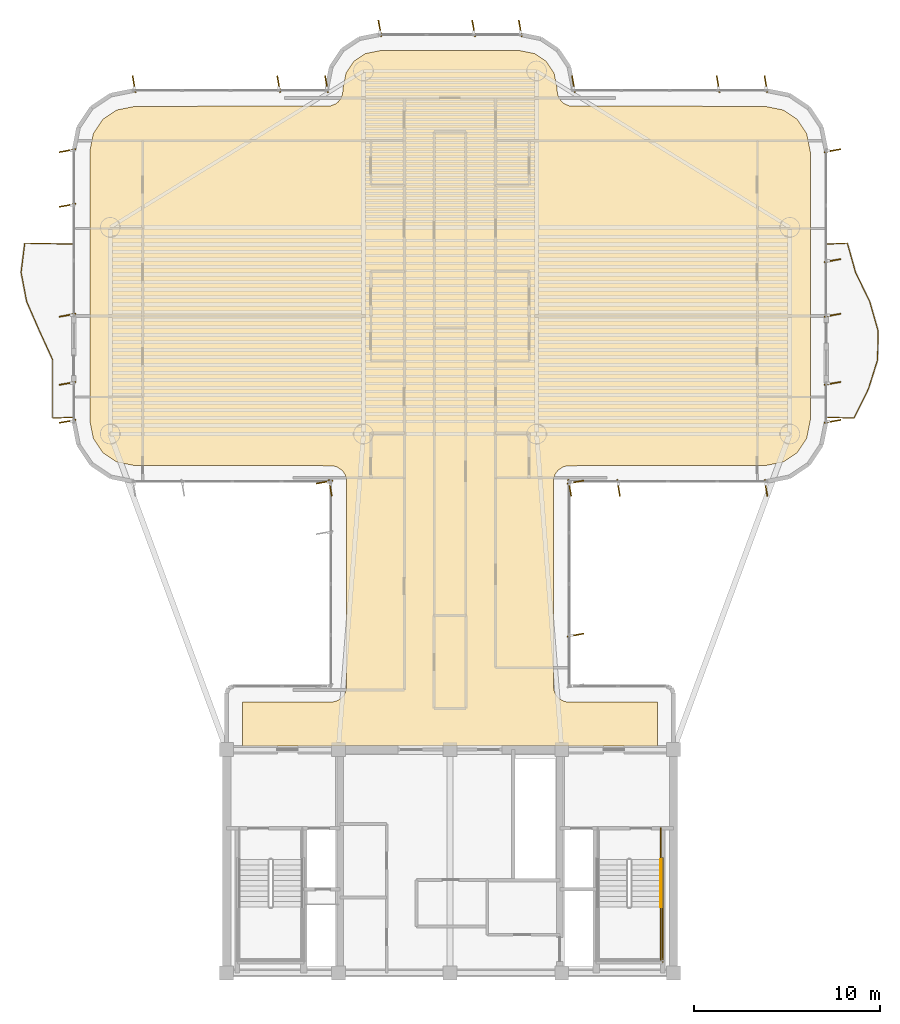
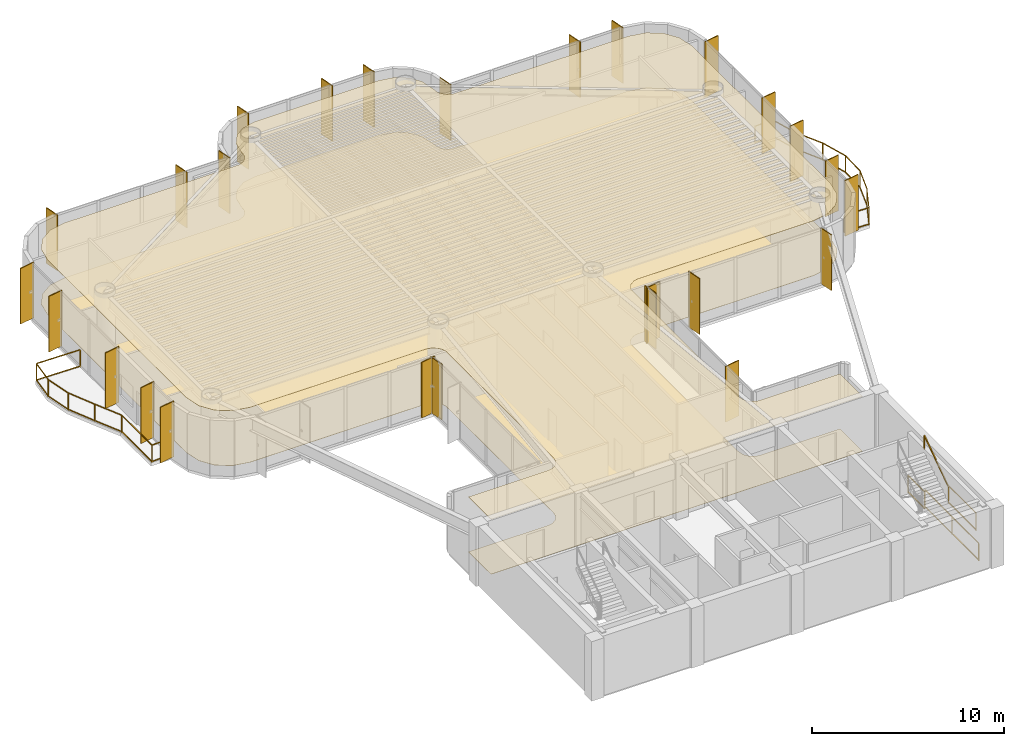
# One storey, part 15 of 15: 26 shading devices, 6 railings, 2 coverings.
"""IFC4 building model written with IfcOpenShell, lengths in metres."""

from ifc_helpers import new_model, si_unit, direction, frame, origin, origin_2d, place, context, subcontext, project, spatial, polyline, rectangle, outline, extrude, source, transform, mapped, material, layer, layer_set, material_profile, profile_set, type_object, element, save


model = new_model("IFC4")

# Units and contexts
model_context = context("Model", 3, precision=1e-05, world=origin(), true_north=direction((0.0, 1.0)))
body_context = subcontext(model_context, "Body", "Model", "MODEL_VIEW")
ifc_project = project(units=[si_unit("LENGTHUNIT", "METRE"), si_unit("AREAUNIT", "SQUARE_METRE"), si_unit("VOLUMEUNIT", "CUBIC_METRE"), si_unit("PLANEANGLEUNIT", "RADIAN"), si_unit("MASSUNIT", "GRAM", prefix="KILO")], contexts=[model_context])

# Site, building, storey
site_placement = place(None, origin())
site = spatial("IfcSite", under=ifc_project, at=site_placement, CompositionType="ELEMENT")
building_placement = place(site_placement, origin())
building = spatial("IfcBuilding", under=site, at=building_placement, Name="Brelvock Crest Care Tower", CompositionType="ELEMENT")
storey_placement = place(building_placement, frame((0.0, 0.0, 160.199951171875)))
storey = spatial("IfcBuildingStorey", under=building, at=storey_placement, Name="L40", CompositionType="ELEMENT", Elevation=160.199951171875)

# Coverings
ifc_material_1 = material(Name="Mineral Fibre Acoustic Ceiling Tile", Category="gypsum")
ifc_layer_1 = layer(ifc_material_1, 0.02490234375, Name="COV-CLG1")
ifc_layer_set_1 = layer_set([ifc_layer_1], Name="Mineral Fibre Acoustic Ceiling Tile")
covering_type_1 = type_object("IfcCoveringType", Name="COV-CLG1", PredefinedType="CEILING", material=ifc_layer_set_1)
covering_1_placement = place(storey_placement, frame((0.0, 0.0, 3.47509765625)))
element("IfcCovering", 1, at=covering_1_placement, inside=storey, type_object=covering_type_1, Name="L40 Acoustic Suspended Ceiling 1", PredefinedType="CEILING", context=body_context, shape_type="SweptSolid", body=[
    extrude(outline(polyline([(24.85009765625, 18.199951171875), (47.14990234375, 18.199951171875), (47.14990234375, 20.550048828125), (42.316650390625, 20.55419921875), (42.1533203125, 20.586669921875), (41.927734375, 20.693359375), (41.742919921875, 20.86083984375), (41.61474609375, 21.07470703125), (41.550048828125, 21.39990234375), (41.56640625, 32.56591796875), (41.650390625, 32.80078125), (41.799072265625, 33.0009765625), (42.07470703125, 33.185302734375), (42.316650390625, 33.245849609375), (52.916259765625, 33.25), (53.892822265625, 33.4443359375), (54.64990234375, 33.9501953125), (55.15576171875, 34.70703125), (55.35009765625, 35.68359375), (55.35009765625, 50.1162109375), (55.15576171875, 51.093017578125), (54.64990234375, 51.849853515625), (53.892822265625, 52.355712890625), (52.916259765625, 52.550048828125), (42.43408203125, 52.56640625), (42.127685546875, 52.693359375), (41.9990234375, 52.799072265625), (41.850341796875, 52.999267578125), (41.766357421875, 53.234130859375), (41.75, 53.516357421875), (41.586181640625, 54.33984375), (41.1669921875, 54.967041015625), (40.539794921875, 55.38623046875), (39.71630859375, 55.550048828125), (32.28369140625, 55.550048828125), (31.460205078125, 55.38623046875), (30.8330078125, 54.967041015625), (30.413818359375, 54.33984375), (30.25, 53.516357421875), (30.233642578125, 53.234130859375), (30.149658203125, 52.999267578125), (30.0009765625, 52.799072265625), (29.872314453125, 52.693359375), (29.56591796875, 52.56640625), (19.083740234375, 52.550048828125), (18.107177734375, 52.355712890625), (17.35009765625, 51.849853515625), (16.84423828125, 51.093017578125), (16.64990234375, 50.1162109375), (16.64990234375, 35.68359375), (16.84423828125, 34.70703125), (17.35009765625, 33.9501953125), (18.107177734375, 33.4443359375), (19.083740234375, 33.25), (29.683349609375, 33.245849609375), (29.92529296875, 33.185302734375), (30.200927734375, 33.0009765625), (30.349609375, 32.80078125), (30.43359375, 32.56591796875), (30.449951171875, 21.39990234375), (30.38525390625, 21.07470703125), (30.257080078125, 20.86083984375), (30.13916015625, 20.742919921875), (29.92529296875, 20.61474609375), (29.683349609375, 20.55419921875), (24.85009765625, 20.550048828125), (24.85009765625, 18.199951171875)])), origin(), (0.0, 0.0, 1.0), 0.02490234375),
])
ifc_material_2 = material(Name="Slip-Resistant Acoustic Vinyl Flooring", Category="finish")
ifc_layer_2 = layer(ifc_material_2, 0.014892578125, Name="COV-FLR1")
ifc_layer_set_2 = layer_set([ifc_layer_2], Name="Slip-Resistant Acoustic Vinyl Flooring")
covering_type_2 = type_object("IfcCoveringType", Name="COV-FLR1", PredefinedType="FLOORING", material=ifc_layer_set_2)
covering_2_placement = place(storey_placement, origin())
element("IfcCovering", 2, at=covering_2_placement, inside=storey, type_object=covering_type_2, Name="L40 Slip-Resistant Acoustic Flooring 1", PredefinedType="FLOORING", context=body_context, shape_type="SweptSolid", body=[
    extrude(outline(polyline([(24.85009765625, 18.199951171875), (47.14990234375, 18.199951171875), (47.14990234375, 20.550048828125), (42.316650390625, 20.55419921875), (42.1533203125, 20.586669921875), (41.927734375, 20.693359375), (41.742919921875, 20.86083984375), (41.61474609375, 21.07470703125), (41.550048828125, 21.39990234375), (41.56640625, 32.56591796875), (41.650390625, 32.80078125), (41.799072265625, 33.0009765625), (42.07470703125, 33.185302734375), (42.316650390625, 33.245849609375), (52.916259765625, 33.25), (53.892822265625, 33.4443359375), (54.64990234375, 33.9501953125), (55.15576171875, 34.70703125), (55.35009765625, 35.68359375), (55.35009765625, 50.1162109375), (55.15576171875, 51.093017578125), (54.64990234375, 51.849853515625), (53.892822265625, 52.355712890625), (52.916259765625, 52.550048828125), (42.43408203125, 52.56640625), (42.127685546875, 52.693359375), (41.9990234375, 52.799072265625), (41.850341796875, 52.999267578125), (41.766357421875, 53.234130859375), (41.75, 53.516357421875), (41.586181640625, 54.33984375), (41.1669921875, 54.967041015625), (40.539794921875, 55.38623046875), (39.71630859375, 55.550048828125), (32.28369140625, 55.550048828125), (31.460205078125, 55.38623046875), (30.8330078125, 54.967041015625), (30.413818359375, 54.33984375), (30.25, 53.516357421875), (30.233642578125, 53.234130859375), (30.149658203125, 52.999267578125), (30.0009765625, 52.799072265625), (29.872314453125, 52.693359375), (29.56591796875, 52.56640625), (19.083740234375, 52.550048828125), (18.107177734375, 52.355712890625), (17.35009765625, 51.849853515625), (16.84423828125, 51.093017578125), (16.64990234375, 50.1162109375), (16.64990234375, 35.68359375), (16.84423828125, 34.70703125), (17.35009765625, 33.9501953125), (18.107177734375, 33.4443359375), (19.083740234375, 33.25), (29.683349609375, 33.245849609375), (29.92529296875, 33.185302734375), (30.200927734375, 33.0009765625), (30.349609375, 32.80078125), (30.43359375, 32.56591796875), (30.449951171875, 21.39990234375), (30.38525390625, 21.07470703125), (30.257080078125, 20.86083984375), (30.13916015625, 20.742919921875), (29.92529296875, 20.61474609375), (29.683349609375, 20.55419921875), (24.85009765625, 20.550048828125), (24.85009765625, 18.199951171875)])), origin(), (0.0, 0.0, 1.0), 0.01513671875),
])

# Railings
ifc_material_3 = material(Name="Dark Glass Double Glazed Low-E", Category="glass")
ifc_layer_3 = layer(ifc_material_3, 0.06005859375, Name="RL-BAL1")
ifc_layer_set_3 = layer_set([ifc_layer_3], Name="Dark Glass Double Glazed Low-E")
railing_type_1 = type_object("IfcRailingType", Name="RL-BAL1", PredefinedType="BALUSTRADE", material=ifc_layer_set_3)
railing_1_placement = place(storey_placement, frame((15.760009765625, 35.85009765625, 0.004150390625)))
element("IfcRailing", 3, at=railing_1_placement, inside=storey, type_object=railing_type_1, Name="L40 Safety Balustrade WB-W", PredefinedType="BALUSTRADE", context=body_context, shape_type="SweptSolid", body=[
    extrude(rectangle(XDim=0.048095703125, YDim=0.048095703125, at=origin_2d()), frame((-0.001953125, 0.0, 1.09619140625), z_axis=(-0.998966710972, -0.045447886318, 0.0), x_axis=(0.045447886318, -0.998966710972, 0.0)), (0.0, 0.0, 1.0), 1.09716796875),
    extrude(rectangle(XDim=0.048095703125, YDim=0.048095703125, at=origin_2d()), frame((-0.001953125, 0.0, 0.054931640625), z_axis=(-0.998966710972, -0.045447886318, 0.0), x_axis=(0.045447886318, -0.998966710972, 0.0)), (0.0, 0.0, 1.0), 1.09716796875),
    extrude(rectangle(XDim=0.048095703125, YDim=0.048095703125, at=origin_2d()), frame((-1.10009765625, -0.048095703125, 1.09619140625), z_axis=(0.0, 1.0, 0.0), x_axis=(-1.0, 0.0, 0.0)), (0.0, 0.0, 1.0), 3.12939453125),
    extrude(rectangle(XDim=0.048095703125, YDim=0.048095703125, at=origin_2d()), frame((-1.10009765625, -0.048095703125, 0.054931640625), z_axis=(0.0, 1.0, 0.0), x_axis=(-1.0, 0.0, 0.0)), (0.0, 0.0, 1.0), 3.12939453125),
    extrude(rectangle(XDim=0.048095703125, YDim=0.048095703125, at=origin_2d()), frame((-1.100830078125, 3.0849609375, 1.09619140625), z_axis=(-0.415820047344, 0.909446913364, 0.0), x_axis=(-0.909446913364, -0.415820047344, 0.0)), (0.0, 0.0, 1.0), 1.71875),
    extrude(rectangle(XDim=0.048095703125, YDim=0.048095703125, at=origin_2d()), frame((-1.100830078125, 3.0849609375, 0.054931640625), z_axis=(-0.415820047344, 0.909446913364, 0.0), x_axis=(-0.909446913364, -0.415820047344, 0.0)), (0.0, 0.0, 1.0), 1.71875),
    extrude(rectangle(XDim=0.048095703125, YDim=0.048095703125, at=origin_2d()), frame((-1.817138671875, 4.65185546875, 1.09619140625), z_axis=(-0.399446893418, 0.91675633586, 0.0), x_axis=(-0.91675633586, -0.399446893418, 0.0)), (0.0, 0.0, 1.0), 1.704833984375),
    extrude(rectangle(XDim=0.048095703125, YDim=0.048095703125, at=origin_2d()), frame((-1.817138671875, 4.65185546875, 0.054931640625), z_axis=(-0.399446893418, 0.91675633586, 0.0), x_axis=(-0.91675633586, -0.399446893418, 0.0)), (0.0, 0.0, 1.0), 1.704833984375),
    extrude(rectangle(XDim=0.048095703125, YDim=0.048095703125, at=origin_2d()), frame((-2.49951171875, 6.218505859375, 1.09619140625), z_axis=(-0.186922166331, 0.982374726738, 0.0), x_axis=(-0.982374726738, -0.186922166331, 0.0)), (0.0, 0.0, 1.0), 1.5908203125),
    extrude(rectangle(XDim=0.048095703125, YDim=0.048095703125, at=origin_2d()), frame((-2.49951171875, 6.218505859375, 0.054931640625), z_axis=(-0.186922166331, 0.982374726738, 0.0), x_axis=(-0.982374726738, -0.186922166331, 0.0)), (0.0, 0.0, 1.0), 1.5908203125),
    extrude(rectangle(XDim=0.048095703125, YDim=0.048095703125, at=origin_2d()), frame((-2.796875, 7.78515625, 1.09619140625), z_axis=(0.124167953232, 0.992261215301, 0.0), x_axis=(-0.992261215301, 0.124167953232, 0.0)), (0.0, 0.0, 1.0), 1.574951171875),
    extrude(rectangle(XDim=0.048095703125, YDim=0.048095703125, at=origin_2d()), frame((-2.796875, 7.78515625, 0.054931640625), z_axis=(0.124167953232, 0.992261215301, 0.0), x_axis=(-0.992261215301, 0.124167953232, 0.0)), (0.0, 0.0, 1.0), 1.574951171875),
    extrude(rectangle(XDim=0.048095703125, YDim=0.048095703125, at=origin_2d()), frame((-2.59912109375, 9.349853515625, 1.09619140625), z_axis=(0.999814931814, -0.019238038391, 0.0), x_axis=(0.019238038391, 0.999814931814, 0.0)), (0.0, 0.0, 1.0), 2.59765625),
    extrude(rectangle(XDim=0.048095703125, YDim=0.048095703125, at=origin_2d()), frame((-2.59912109375, 9.349853515625, 0.054931640625), z_axis=(0.999814931814, -0.019238038391, 0.0), x_axis=(0.019238038391, 0.999814931814, 0.0)), (0.0, 0.0, 1.0), 2.59765625),
    extrude(rectangle(XDim=0.0419921875, YDim=0.0419921875, at=origin_2d()), origin(), (0.0, 0.0, 1.0), 1.070068359375),
    extrude(rectangle(XDim=0.0419921875, YDim=0.0419921875, at=origin_2d()), frame((-1.10009765625, -0.050048828125, 0.0)), (0.0, 0.0, 1.0), 1.070068359375),
    extrude(rectangle(XDim=0.0419921875, YDim=0.0419921875, at=origin_2d()), frame((-1.10009765625, 3.083251953125, 0.0)), (0.0, 0.0, 1.0), 1.070068359375),
    extrude(rectangle(XDim=0.0419921875, YDim=0.0419921875, at=origin_2d()), frame((-1.81640625, 4.64990234375, 0.0)), (0.0, 0.0, 1.0), 1.070068359375),
    extrude(rectangle(XDim=0.0419921875, YDim=0.0419921875, at=origin_2d()), frame((-2.4990234375, 6.216552734375, 0.0)), (0.0, 0.0, 1.0), 1.070068359375),
    extrude(rectangle(XDim=0.0419921875, YDim=0.0419921875, at=origin_2d()), frame((-2.797119140625, 7.783203125, 0.0)), (0.0, 0.0, 1.0), 1.070068359375),
    extrude(rectangle(XDim=0.0419921875, YDim=0.0419921875, at=origin_2d()), frame((-2.60107421875, 9.349853515625, 0.0)), (0.0, 0.0, 1.0), 1.070068359375),
    extrude(rectangle(XDim=0.0419921875, YDim=0.0419921875, at=origin_2d()), frame((0.0, 9.2998046875, 0.0)), (0.0, 0.0, 1.0), 1.070068359375),
])
railing_2_placement = place(storey_placement, frame((56.239990234375, 35.85009765625, 0.004150390625)))
element("IfcRailing", 4, at=railing_2_placement, inside=storey, type_object=railing_type_1, Name="L40 Safety Balustrade WB-E", PredefinedType="BALUSTRADE", context=body_context, shape_type="SweptSolid", body=[
    extrude(rectangle(XDim=0.048095703125, YDim=0.048095703125, at=origin_2d()), frame((0.001953125, 0.0, 1.09619140625), z_axis=(0.999404799616, -0.034497050669, 0.0), x_axis=(0.034497050669, 0.999404799616, 0.0)), (0.0, 0.0, 1.0), 1.44677734375),
    extrude(rectangle(XDim=0.048095703125, YDim=0.048095703125, at=origin_2d()), frame((0.001953125, 0.0, 0.054931640625), z_axis=(0.999404799616, -0.034497050669, 0.0), x_axis=(0.034497050669, 0.999404799616, 0.0)), (0.0, 0.0, 1.0), 1.44677734375),
    extrude(rectangle(XDim=0.048095703125, YDim=0.048095703125, at=origin_2d()), frame((1.450927734375, -0.04833984375, 1.09619140625), z_axis=(0.44525902638, 0.895401808925, 0.0), x_axis=(-0.895401808925, 0.44525902638, 0.0)), (0.0, 0.0, 1.0), 1.74560546875),
    extrude(rectangle(XDim=0.048095703125, YDim=0.048095703125, at=origin_2d()), frame((1.450927734375, -0.04833984375, 0.054931640625), z_axis=(0.44525902638, 0.895401808925, 0.0), x_axis=(-0.895401808925, 0.44525902638, 0.0)), (0.0, 0.0, 1.0), 1.74560546875),
    extrude(rectangle(XDim=0.048095703125, YDim=0.048095703125, at=origin_2d()), frame((2.2294921875, 1.5185546875, 1.09619140625), z_axis=(0.300533785951, 0.95377116936, 0.0), x_axis=(-0.95377116936, 0.300533785951, 0.0)), (0.0, 0.0, 1.0), 1.638671875),
    extrude(rectangle(XDim=0.048095703125, YDim=0.048095703125, at=origin_2d()), frame((2.2294921875, 1.5185546875, 0.054931640625), z_axis=(0.300533785951, 0.95377116936, 0.0), x_axis=(-0.95377116936, 0.300533785951, 0.0)), (0.0, 0.0, 1.0), 1.638671875),
    extrude(rectangle(XDim=0.048095703125, YDim=0.048095703125, at=origin_2d()), frame((2.72265625, 3.085205078125, 1.09619140625), z_axis=(0.016983680628, 0.999855766895, 0.0), x_axis=(-0.999855766895, 0.016983680628, 0.0)), (0.0, 0.0, 1.0), 1.56298828125),
    extrude(rectangle(XDim=0.048095703125, YDim=0.048095703125, at=origin_2d()), frame((2.72265625, 3.085205078125, 0.054931640625), z_axis=(0.016983680628, 0.999855766895, 0.0), x_axis=(-0.999855766895, 0.016983680628, 0.0)), (0.0, 0.0, 1.0), 1.56298828125),
    extrude(rectangle(XDim=0.048095703125, YDim=0.048095703125, at=origin_2d()), frame((2.748779296875, 4.65185546875, 1.09619140625), z_axis=(-0.275907910991, 0.961184074282, 0.0), x_axis=(-0.961184074282, -0.275907910991, 0.0)), (0.0, 0.0, 1.0), 1.6259765625),
    extrude(rectangle(XDim=0.048095703125, YDim=0.048095703125, at=origin_2d()), frame((2.748779296875, 4.65185546875, 0.054931640625), z_axis=(-0.275907910991, 0.961184074282, 0.0), x_axis=(-0.961184074282, -0.275907910991, 0.0)), (0.0, 0.0, 1.0), 1.6259765625),
    extrude(rectangle(XDim=0.048095703125, YDim=0.048095703125, at=origin_2d()), frame((2.298583984375, 6.21826171875, 1.09619140625), z_axis=(-0.437036809921, 0.899443620675, 0.0), x_axis=(-0.899443620675, -0.437036809921, 0.0)), (0.0, 0.0, 1.0), 1.73779296875),
    extrude(rectangle(XDim=0.048095703125, YDim=0.048095703125, at=origin_2d()), frame((2.298583984375, 6.21826171875, 0.054931640625), z_axis=(-0.437036809921, 0.899443620675, 0.0), x_axis=(-0.899443620675, -0.437036809921, 0.0)), (0.0, 0.0, 1.0), 1.73779296875),
    extrude(rectangle(XDim=0.048095703125, YDim=0.048095703125, at=origin_2d()), frame((1.537841796875, 7.78515625, 1.09619140625), z_axis=(-0.269384986944, 0.963032568924, 0.0), x_axis=(-0.963032568924, -0.269384986944, 0.0)), (0.0, 0.0, 1.0), 1.622802734375),
    extrude(rectangle(XDim=0.048095703125, YDim=0.048095703125, at=origin_2d()), frame((1.537841796875, 7.78515625, 0.054931640625), z_axis=(-0.269384986944, 0.963032568924, 0.0), x_axis=(-0.963032568924, -0.269384986944, 0.0)), (0.0, 0.0, 1.0), 1.622802734375),
    extrude(rectangle(XDim=0.048095703125, YDim=0.048095703125, at=origin_2d()), frame((1.09814453125, 9.349853515625, 1.09619140625), z_axis=(-0.998966710972, -0.045447886318, 0.0), x_axis=(0.045447886318, -0.998966710972, 0.0)), (0.0, 0.0, 1.0), 1.09716796875),
    extrude(rectangle(XDim=0.048095703125, YDim=0.048095703125, at=origin_2d()), frame((1.09814453125, 9.349853515625, 0.054931640625), z_axis=(-0.998966710972, -0.045447886318, 0.0), x_axis=(0.045447886318, -0.998966710972, 0.0)), (0.0, 0.0, 1.0), 1.09716796875),
    extrude(rectangle(XDim=0.0419921875, YDim=0.0419921875, at=origin_2d()), origin(), (0.0, 0.0, 1.0), 1.070068359375),
    extrude(rectangle(XDim=0.0419921875, YDim=0.0419921875, at=origin_2d()), frame((1.449951171875, -0.050048828125, 0.0)), (0.0, 0.0, 1.0), 1.070068359375),
    extrude(rectangle(XDim=0.0419921875, YDim=0.0419921875, at=origin_2d()), frame((2.22900390625, 1.5166015625, 0.0)), (0.0, 0.0, 1.0), 1.070068359375),
    extrude(rectangle(XDim=0.0419921875, YDim=0.0419921875, at=origin_2d()), frame((2.72265625, 3.083251953125, 0.0)), (0.0, 0.0, 1.0), 1.070068359375),
    extrude(rectangle(XDim=0.0419921875, YDim=0.0419921875, at=origin_2d()), frame((2.749267578125, 4.64990234375, 0.0)), (0.0, 0.0, 1.0), 1.070068359375),
    extrude(rectangle(XDim=0.0419921875, YDim=0.0419921875, at=origin_2d()), frame((2.299560546875, 6.216552734375, 0.0)), (0.0, 0.0, 1.0), 1.070068359375),
    extrude(rectangle(XDim=0.0419921875, YDim=0.0419921875, at=origin_2d()), frame((1.538330078125, 7.783203125, 0.0)), (0.0, 0.0, 1.0), 1.070068359375),
    extrude(rectangle(XDim=0.0419921875, YDim=0.0419921875, at=origin_2d()), frame((1.10009765625, 9.349853515625, 0.0)), (0.0, 0.0, 1.0), 1.070068359375),
    extrude(rectangle(XDim=0.0419921875, YDim=0.0419921875, at=origin_2d()), frame((0.0, 9.2998046875, 0.0)), (0.0, 0.0, 1.0), 1.070068359375),
])
ifc_material_4 = material(Name="Steel Grade 350", Category="steel")
ifc_layer_4 = layer(ifc_material_4, 0.050048828125, Name="RL-STG1")
ifc_layer_set_4 = layer_set([ifc_layer_4], Name="Steel Grade 350")
railing_type_2 = type_object("IfcRailingType", Name="RL-STG1", PredefinedType="GUARDRAIL", material=ifc_layer_set_4)
railing_3_placement = place(storey_placement, frame((47.320068359375, 9.56005859375, 1.89013671875)))
element("IfcRailing", 5, at=railing_3_placement, inside=storey, type_object=railing_type_2, Name="L40 ST-2 stair guard 4", PredefinedType="GUARDRAIL", context=body_context, shape_type="SweptSolid", body=[
    extrude(rectangle(XDim=0.048095703125, YDim=0.048095703125, at=origin_2d()), frame((0.0, -0.001953125, 1.11572265625), z_axis=(0.0, -1.0, 0.0), x_axis=(1.0, 0.0, 0.0)), (0.0, 0.0, 1.0), 2.856201171875),
    extrude(rectangle(XDim=0.048095703125, YDim=0.048095703125, at=origin_2d()), frame((0.0, -0.001953125, 0.054931640625), z_axis=(0.0, -1.0, 0.0), x_axis=(1.0, 0.0, 0.0)), (0.0, 0.0, 1.0), 2.856201171875),
    extrude(rectangle(XDim=0.0419921875, YDim=0.0419921875, at=origin_2d()), origin(), (0.0, 0.0, 1.0), 1.08984375),
    extrude(rectangle(XDim=0.0419921875, YDim=0.0419921875, at=origin_2d()), frame((0.0, -2.860107421875, 0.0)), (0.0, 0.0, 1.0), 1.08984375),
])
railing_4_placement = place(storey_placement, frame((47.320068359375, 13.780029296875, 0.0)))
element("IfcRailing", 6, at=railing_4_placement, inside=storey, type_object=railing_type_2, Name="L40 ST-2 stair guard 9", PredefinedType="GUARDRAIL", context=body_context, shape_type="SweptSolid", body=[
    extrude(rectangle(XDim=0.048095703125, YDim=0.048095703125, at=origin_2d()), frame((0.0, -0.001953125, 1.11572265625), z_axis=(0.0, -1.0, 0.0), x_axis=(1.0, 0.0, 0.0)), (0.0, 0.0, 1.0), 1.696044921875),
    extrude(rectangle(XDim=0.048095703125, YDim=0.048095703125, at=origin_2d()), frame((0.0, -0.001953125, 0.054931640625), z_axis=(0.0, -1.0, 0.0), x_axis=(1.0, 0.0, 0.0)), (0.0, 0.0, 1.0), 1.696044921875),
    extrude(rectangle(XDim=0.0419921875, YDim=0.0419921875, at=origin_2d()), origin(), (0.0, 0.0, 1.0), 1.08984375),
    extrude(rectangle(XDim=0.0419921875, YDim=0.0419921875, at=origin_2d()), frame((0.0, -1.699951171875, 0.0)), (0.0, 0.0, 1.0), 1.08984375),
])
railing_5_placement = place(storey_placement, frame((47.419921875, 12.179931640625, 0.0)))
element("IfcRailing", 7, at=railing_5_placement, inside=storey, type_object=railing_type_2, Name="L40 ST-2 stair guard 11", PredefinedType="GUARDRAIL", context=body_context, shape_type="SweptSolid", body=[
    extrude(rectangle(XDim=0.048095703125, YDim=0.048095703125, at=origin_2d()), frame((0.0, -0.001953125, 1.11572265625), z_axis=(0.0, -1.0, 0.0), x_axis=(1.0, 0.0, 0.0)), (0.0, 0.0, 1.0), 5.575927734375),
    extrude(rectangle(XDim=0.048095703125, YDim=0.048095703125, at=origin_2d()), frame((0.0, -0.001953125, 0.054931640625), z_axis=(0.0, -1.0, 0.0), x_axis=(1.0, 0.0, 0.0)), (0.0, 0.0, 1.0), 5.575927734375),
    extrude(rectangle(XDim=0.0419921875, YDim=0.0419921875, at=origin_2d()), origin(), (0.0, 0.0, 1.0), 1.08984375),
    extrude(rectangle(XDim=0.0419921875, YDim=0.0419921875, at=origin_2d()), frame((0.0, -2.7900390625, 0.0)), (0.0, 0.0, 1.0), 1.08984375),
    extrude(rectangle(XDim=0.0419921875, YDim=0.0419921875, at=origin_2d()), frame((0.0, -5.579833984375, 0.0)), (0.0, 0.0, 1.0), 1.08984375),
])
ifc_layer_5 = layer(ifc_material_4, 0.048095703125, Name="RL-STH1")
ifc_layer_set_5 = layer_set([ifc_layer_5], Name="Steel Grade 350")
railing_type_3 = type_object("IfcRailingType", Name="RL-STH1", PredefinedType="HANDRAIL", material=ifc_layer_set_5)
railing_6_placement = place(storey_placement, frame((47.320068359375, 9.56005859375, 2.0791015625)))
element("IfcRailing", 8, at=railing_6_placement, inside=storey, type_object=railing_type_3, Name="L40 ST-2 stair handrail 2", PredefinedType="HANDRAIL", context=body_context, shape_type="SweptSolid", body=[
    extrude(rectangle(XDim=0.048095703125, YDim=0.048095703125, at=origin_2d()), frame((0.0, 0.001708984375, 0.876953125), z_axis=(0.0, 0.828861706735, 0.559453546873), x_axis=(-1.0, 0.0, 0.0)), (0.0, 0.0, 1.0), 3.036376953125),
    extrude(rectangle(XDim=0.0419921875, YDim=0.0419921875, at=origin_2d()), origin(), (0.0, 0.0, 1.0), 0.849853515625),
    extrude(rectangle(XDim=0.0419921875, YDim=0.0419921875, at=origin_2d()), frame((0.0, 2.52001953125, 1.700927734375)), (0.0, 0.0, 1.0), 0.849853515625),
])

# Shading devices
ifc_material_5 = material(Name="Aluminium 6063-T6", Category="aluminium")
ifc_material_profile = material_profile(ifc_material_5, rectangle(XDim=0.054931640625, YDim=0.89990234375, at=origin_2d()), Name="FIN55x900")
ifc_profile_set = profile_set([ifc_material_profile], Name="Aluminium 6063-T6")
shading_device_type = type_object("IfcShadingDeviceType", Name="SHD-FIN1", PredefinedType="USERDEFINED", material=ifc_profile_set)
shared_shape = source(origin(), body_context, "Body", "SweptSolid", [
    extrude(rectangle(XDim=0.054931640625, YDim=0.89990234375, at=origin_2d()), origin(), (0.0, 0.0, 1.0), 3.530029296875),
])
for number, where, z_axis, x_axis, name in (
    (9, (29.260009765625, 32.3701171875, 0.0), (0.0, 0.0, 1.0), (-0.173648177667, 0.984807753012, 0.0), "L40 Vertical Sunshade Fin E11-05"),
    (10, (29.570068359375, 32.06005859375, 0.0), (0.0, 0.0, 1.0), (-0.984807753012, -0.173648177667, 0.0), "L40 Vertical Sunshade Fin E12-01"),
    (11, (15.4599609375, 35.6298828125, 0.0), (0.0, 0.0, 1.0), (-0.173648177667, 0.984807753012, 0.0), "L40 Vertical Sunshade Fin E17A-01"),
    (12, (15.4599609375, 37.669921875, 0.0), (0.0, 0.0, 1.0), (-0.173648177667, 0.984807753012, 0.0), "L40 Vertical Sunshade Fin E17A-02"),
    (13, (15.4599609375, 41.330078125, 0.0), (0.0, 0.0, 1.0), (-0.173648177667, 0.984807753012, 0.0), "L40 Vertical Sunshade Fin E17B-01"),
    (14, (15.4599609375, 47.2333984375, 0.0), (0.0, 0.0, 1.0), (-0.173648177667, 0.984807753012, 0.0), "L40 Vertical Sunshade Fin E17B-03"),
    (15, (15.4599609375, 50.169921875, 0.0), (0.0, 0.0, 1.0), (-0.173648177667, 0.984807753012, 0.0), "L40 Vertical Sunshade Fin E17B-04"),
    (16, (19.030029296875, 53.739990234375, 0.0), (0.0, 0.0, 1.0), (0.984807753012, 0.173648177667, 0.0), "L40 Vertical Sunshade Fin E22-01"),
    (17, (26.800048828125, 53.739990234375, 0.0), (0.0, 0.0, 1.0), (0.984807753012, 0.173648177667, 0.0), "L40 Vertical Sunshade Fin E22-04"),
    (18, (29.3701171875, 53.739990234375, 0.0), (0.0, 0.0, 1.0), (0.984807753012, 0.173648177667, 0.0), "L40 Vertical Sunshade Fin E22-05"),
    (19, (32.22998046875, 56.739990234375, 0.0), (0.0, 0.0, 1.0), (0.984807753012, 0.173648177667, 0.0), "L40 Vertical Sunshade Fin E28-01"),
    (20, (37.2666015625, 56.739990234375, 0.0), (0.0, 0.0, 1.0), (0.984807753012, 0.173648177667, 0.0), "L40 Vertical Sunshade Fin E28-03"),
    (21, (39.77001953125, 56.739990234375, 0.0), (0.0, 0.0, 1.0), (0.984807753012, 0.173648177667, 0.0), "L40 Vertical Sunshade Fin E28-04"),
    (22, (42.6298828125, 53.739990234375, 0.0), (0.0, 0.0, 1.0), (0.984807753012, 0.173648177667, 0.0), "L40 Vertical Sunshade Fin E34-01"),
    (23, (50.39990234375, 53.739990234375, 0.0), (0.0, 0.0, 1.0), (0.984807753012, 0.173648177667, 0.0), "L40 Vertical Sunshade Fin E34-04"),
    (24, (52.969970703125, 53.739990234375, 0.0), (0.0, 0.0, 1.0), (0.984807753012, 0.173648177667, 0.0), "L40 Vertical Sunshade Fin E34-05"),
    (25, (56.5400390625, 50.169921875, 0.0), (0.0, 0.0, 1.0), (0.173648177667, -0.984807753012, 0.0), "L40 Vertical Sunshade Fin E39A-01"),
    (26, (56.5400390625, 44.2666015625, 0.0), (0.0, 0.0, 1.0), (0.173648177667, -0.984807753012, 0.0), "L40 Vertical Sunshade Fin E39A-03"),
    (27, (56.5400390625, 41.330078125, 0.0), (0.0, 0.0, 1.0), (0.173648177667, -0.984807753012, 0.0), "L40 Vertical Sunshade Fin E39A-04"),
    (28, (56.5400390625, 37.669921875, 0.0), (0.0, 0.0, 1.0), (0.173648177667, -0.984807753012, 0.0), "L40 Vertical Sunshade Fin E39B-01"),
    (29, (56.5400390625, 35.6298828125, 0.0), (0.0, 0.0, 1.0), (0.173648177667, -0.984807753012, 0.0), "L40 Vertical Sunshade Fin E39B-02"),
    (30, (52.969970703125, 32.06005859375, 0.0), (0.0, 0.0, 1.0), (-0.984807753012, -0.173648177667, 0.0), "L40 Vertical Sunshade Fin E44-01"),
    (31, (45.050048828125, 32.06005859375, 0.0), (0.0, 0.0, 1.0), (-0.984807753012, -0.173648177667, 0.0), "L40 Vertical Sunshade Fin E44-04"),
    (32, (42.429931640625, 32.06005859375, 0.0), (0.0, 0.0, 1.0), (-0.984807753012, -0.173648177667, 0.0), "L40 Vertical Sunshade Fin E44-05"),
    (33, (42.739990234375, 32.3701171875, 0.0), (0.0, 0.0, 1.0), (0.173648177667, -0.984807753012, 0.0), "L40 Vertical Sunshade Fin E45-01"),
    (34, (42.739990234375, 24.14990234375, 0.0), (0.0, 0.0, 1.0), (0.173648177667, -0.984807753012, 0.0), "L40 Vertical Sunshade Fin E45-04"),
):
    element("IfcShadingDevice", number, at=place(storey_placement, frame(where, z_axis=z_axis, x_axis=x_axis)), inside=storey, type_object=shading_device_type, Name=name, ObjectType="FIN", PredefinedType="USERDEFINED", context=body_context, shape_type="MappedRepresentation", body=[
        mapped(shared_shape, transform((0.0, 0.0, 0.0), x_axis=(1.0, 0.0, 0.0), y_axis=(0.0, 1.0, 0.0), z_axis=(0.0, 0.0, 1.0), scale=1.0)),
    ])

save(model, "model.ifc")
